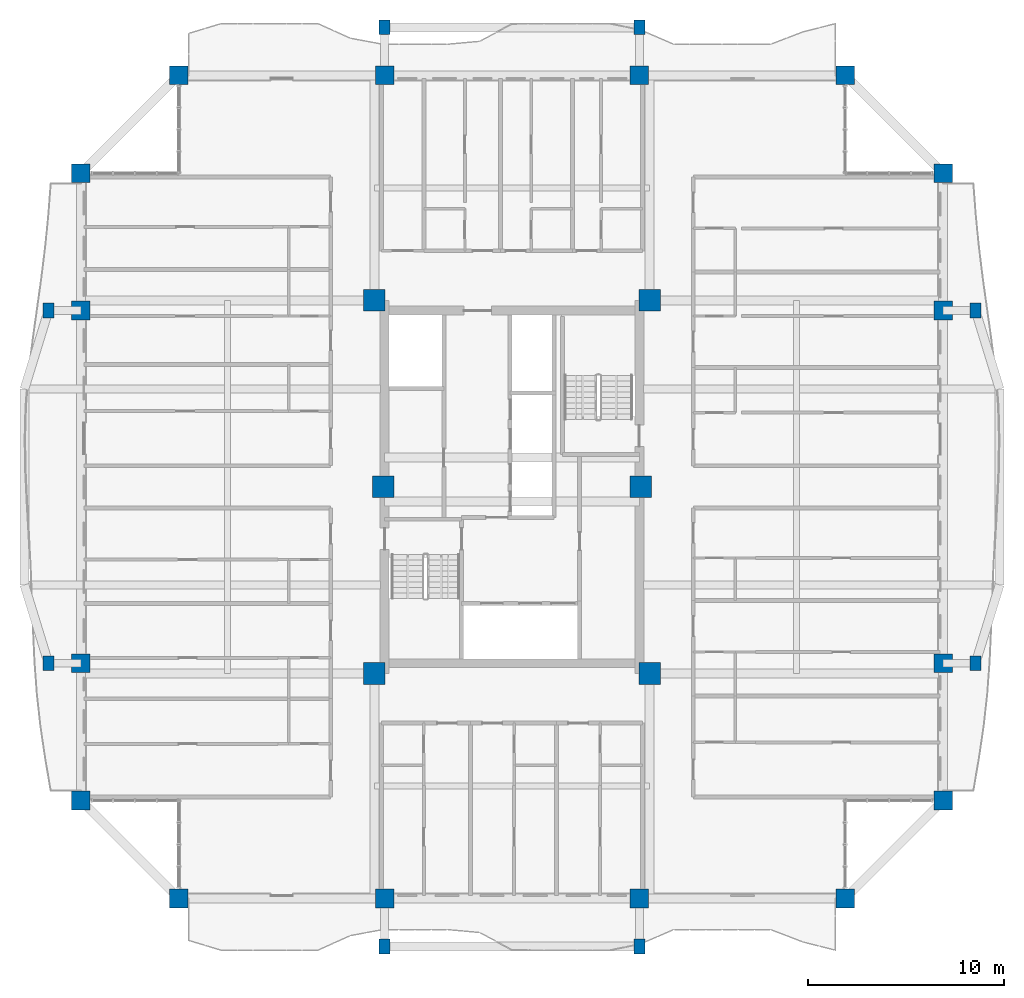
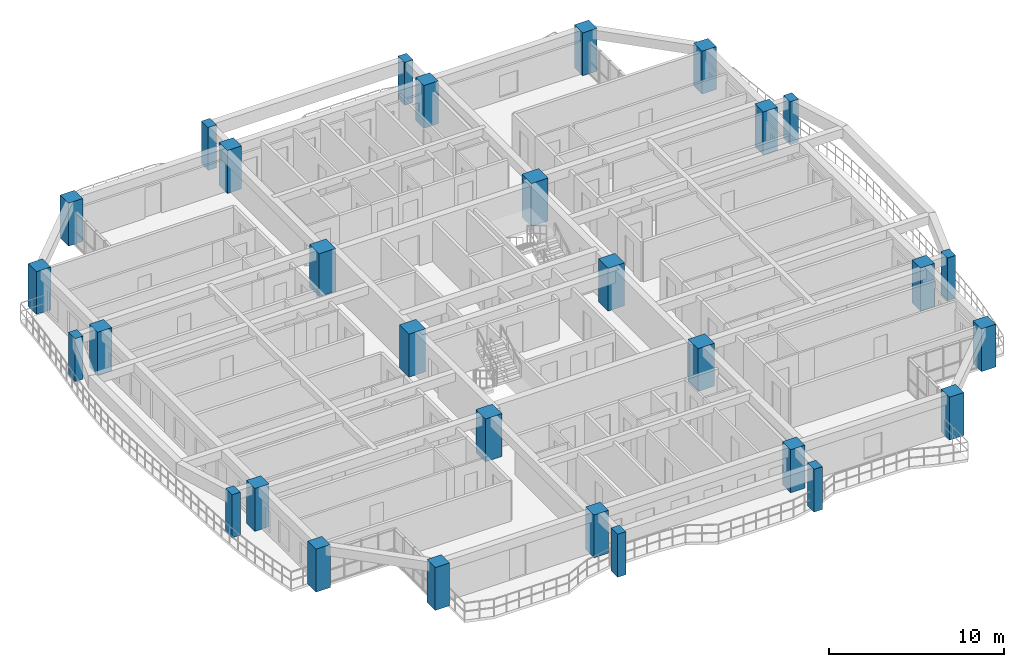
# One storey, part 1 of 24: 30 columns.
"""IFC4 building model written with IfcOpenShell, lengths in metres."""

from ifc_helpers import new_model, si_unit, direction, frame, origin, origin_2d, place, context, subcontext, project, spatial, rectangle, extrude, source, transform, mapped, material, material_profile, profile_set, type_object, element, save


model = new_model("IFC4")

# Units and contexts
model_context = context("Model", 3, precision=1e-05, world=origin(), true_north=direction((0.0, 1.0)))
body_context = subcontext(model_context, "Body", "Model", "MODEL_VIEW")
ifc_project = project(units=[si_unit("LENGTHUNIT", "METRE"), si_unit("AREAUNIT", "SQUARE_METRE"), si_unit("VOLUMEUNIT", "CUBIC_METRE"), si_unit("PLANEANGLEUNIT", "RADIAN"), si_unit("MASSUNIT", "GRAM", prefix="KILO")], contexts=[model_context])

# Site, building, storey
site_placement = place(None, origin())
site = spatial("IfcSite", under=ifc_project, at=site_placement, CompositionType="ELEMENT")
building_placement = place(site_placement, origin())
building = spatial("IfcBuilding", under=site, at=building_placement, Name="Saelheon Loggia Tower", CompositionType="ELEMENT")
storey_placement = place(building_placement, frame((0.0, 0.0, 166.0)))
storey = spatial("IfcBuildingStorey", under=building, at=storey_placement, Name="L52", CompositionType="ELEMENT", Elevation=166.0)

# Columns
ifc_material_1 = material(Name="Concrete C50/60", Category="concrete")
ifc_material_profile_1 = material_profile(ifc_material_1, rectangle(XDim=1.10009765625, YDim=1.10009765625, at=origin_2d()), Name="RC-1100x1100")
ifc_profile_set_1 = profile_set([ifc_material_profile_1], Name="Concrete C50/60")
column_type_1 = type_object("IfcColumnType", Name="Col_Core_RC1100", PredefinedType="COLUMN", material=ifc_profile_set_1)
shared_shape_1 = source(origin(), body_context, "Body", "SweptSolid", [
    extrude(rectangle(XDim=1.10009765625, YDim=1.10009765625, at=origin_2d()), origin(), (0.0, 0.0, 1.0), 3.0),
])
for number, where, z_axis, x_axis, name in (
    (1, (30.97998046875, 17.47998046875, 0.0), (0.0, 0.0, 1.0), (1.0, 0.0, 0.0), "L52 Core Column CR-SW"),
    (2, (45.02001953125, 17.47998046875, 0.0), (0.0, 0.0, 1.0), (1.0, 0.0, 0.0), "L52 Core Column CR-SE"),
    (3, (30.97998046875, 36.52001953125, 0.0), (0.0, 0.0, 1.0), (1.0, 0.0, 0.0), "L52 Core Column CR-NW"),
    (4, (45.02001953125, 36.52001953125, 0.0), (0.0, 0.0, 1.0), (1.0, 0.0, 0.0), "L52 Core Column CR-NE"),
    (5, (31.419921875, 27.0, 0.0), (0.0, 0.0, 1.0), (1.0, 0.0, 0.0), "L52 Core Column CR-MW"),
    (6, (44.580078125, 27.0, 0.0), (0.0, 0.0, 1.0), (1.0, 0.0, 0.0), "L52 Core Column CR-ME"),
):
    element("IfcColumn", number, at=place(storey_placement, frame(where, z_axis=z_axis, x_axis=x_axis)), inside=storey, type_object=column_type_1, Name=name, PredefinedType="COLUMN", context=body_context, shape_type="MappedRepresentation", body=[
        mapped(shared_shape_1, transform((0.0, 0.0, 0.0), scale=1.0)),
    ])
ifc_material_2 = material(Name="Precast Concrete C45/55", Category="concrete")
ifc_material_profile_2 = material_profile(ifc_material_2, rectangle(XDim=0.550048828125, YDim=0.75, at=origin_2d()), Name="RC-550x750")
ifc_profile_set_2 = profile_set([ifc_material_profile_2], Name="Precast Concrete C45/55")
column_type_2 = type_object("IfcColumnType", Name="Col_Loggia_Pilaster_750", PredefinedType="PILASTER", material=ifc_profile_set_2)
shared_shape_2 = source(origin(), body_context, "Body", "SweptSolid", [
    extrude(rectangle(XDim=0.550048828125, YDim=0.75, at=origin_2d()), origin(), (0.0, 0.0, 1.0), 3.0),
])
for number, where, z_axis, x_axis, name in (
    (7, (31.5, 3.550048828125, 0.0), (0.0, 0.0, 1.0), (1.0, 0.0, 0.0), "L52 Loggia Frame Pilaster LP-S1"),
    (8, (44.5, 3.550048828125, 0.0), (0.0, 0.0, 1.0), (1.0, 0.0, 0.0), "L52 Loggia Frame Pilaster LP-S2"),
    (9, (31.5, 50.449951171875, 0.0), (0.0, 0.0, 1.0), (1.0, 0.0, 0.0), "L52 Loggia Frame Pilaster LP-N1"),
    (10, (44.5, 50.449951171875, 0.0), (0.0, 0.0, 1.0), (1.0, 0.0, 0.0), "L52 Loggia Frame Pilaster LP-N2"),
    (11, (61.64990234375, 18.0, 0.0), (0.0, 0.0, 1.0), (1.0, 0.0, 0.0), "L52 Loggia Frame Pilaster LP-E1"),
    (12, (61.64990234375, 36.0, 0.0), (0.0, 0.0, 1.0), (1.0, 0.0, 0.0), "L52 Loggia Frame Pilaster LP-E2"),
    (13, (14.35009765625, 18.0, 0.0), (0.0, 0.0, 1.0), (1.0, 0.0, 0.0), "L52 Loggia Frame Pilaster LP-W1"),
    (14, (14.35009765625, 36.0, 0.0), (0.0, 0.0, 1.0), (1.0, 0.0, 0.0), "L52 Loggia Frame Pilaster LP-W2"),
):
    element("IfcColumn", number, at=place(storey_placement, frame(where, z_axis=z_axis, x_axis=x_axis)), inside=storey, type_object=column_type_2, Name=name, PredefinedType="PILASTER", context=body_context, shape_type="MappedRepresentation", body=[
        mapped(shared_shape_2, transform((0.0, 0.0, 0.0), scale=1.0)),
    ])
ifc_material_profile_3 = material_profile(ifc_material_1, rectangle(XDim=0.949951171875, YDim=0.949951171875, at=origin_2d()), Name="RC-950x950")
ifc_profile_set_3 = profile_set([ifc_material_profile_3], Name="Concrete C50/60")
column_type_3 = type_object("IfcColumnType", Name="Col_Perim_RC950", PredefinedType="COLUMN", material=ifc_profile_set_3)
shared_shape_3 = source(origin(), body_context, "Body", "SweptSolid", [
    extrude(rectangle(XDim=0.949951171875, YDim=0.949951171875, at=origin_2d()), origin(), (0.0, 0.0, 1.0), 3.0),
])
for number, where, z_axis, x_axis, name in (
    (15, (21.0, 6.0, 0.0), (0.0, 0.0, 1.0), (1.0, 0.0, 0.0), "L52 Perimeter Column TP-S1"),
    (16, (31.5, 6.0, 0.0), (0.0, 0.0, 1.0), (1.0, 0.0, 0.0), "L52 Perimeter Column TP-SA"),
    (17, (44.5, 6.0, 0.0), (0.0, 0.0, 1.0), (1.0, 0.0, 0.0), "L52 Perimeter Column TP-SB"),
    (18, (55.0, 6.0, 0.0), (0.0, 0.0, 1.0), (1.0, 0.0, 0.0), "L52 Perimeter Column TP-S2"),
    (19, (60.0, 11.0, 0.0), (0.0, 0.0, 1.0), (1.0, 0.0, 0.0), "L52 Perimeter Column TP-E1"),
    (20, (60.0, 18.0, 0.0), (0.0, 0.0, 1.0), (1.0, 0.0, 0.0), "L52 Perimeter Column TP-EA"),
    (21, (60.0, 36.0, 0.0), (0.0, 0.0, 1.0), (1.0, 0.0, 0.0), "L52 Perimeter Column TP-EB"),
    (22, (60.0, 43.0, 0.0), (0.0, 0.0, 1.0), (1.0, 0.0, 0.0), "L52 Perimeter Column TP-E2"),
    (23, (55.0, 48.0, 0.0), (0.0, 0.0, 1.0), (1.0, 0.0, 0.0), "L52 Perimeter Column TP-N2"),
    (24, (44.5, 48.0, 0.0), (0.0, 0.0, 1.0), (1.0, 0.0, 0.0), "L52 Perimeter Column TP-NB"),
    (25, (31.5, 48.0, 0.0), (0.0, 0.0, 1.0), (1.0, 0.0, 0.0), "L52 Perimeter Column TP-NA"),
    (26, (21.0, 48.0, 0.0), (0.0, 0.0, 1.0), (1.0, 0.0, 0.0), "L52 Perimeter Column TP-N1"),
    (27, (16.0, 43.0, 0.0), (0.0, 0.0, 1.0), (1.0, 0.0, 0.0), "L52 Perimeter Column TP-W2"),
    (28, (16.0, 36.0, 0.0), (0.0, 0.0, 1.0), (1.0, 0.0, 0.0), "L52 Perimeter Column TP-WB"),
    (29, (16.0, 18.0, 0.0), (0.0, 0.0, 1.0), (1.0, 0.0, 0.0), "L52 Perimeter Column TP-WA"),
    (30, (16.0, 11.0, 0.0), (0.0, 0.0, 1.0), (1.0, 0.0, 0.0), "L52 Perimeter Column TP-W1"),
):
    element("IfcColumn", number, at=place(storey_placement, frame(where, z_axis=z_axis, x_axis=x_axis)), inside=storey, type_object=column_type_3, Name=name, PredefinedType="COLUMN", context=body_context, shape_type="MappedRepresentation", body=[
        mapped(shared_shape_3, transform((0.0, 0.0, 0.0), scale=1.0)),
    ])

save(model, "model.ifc")
